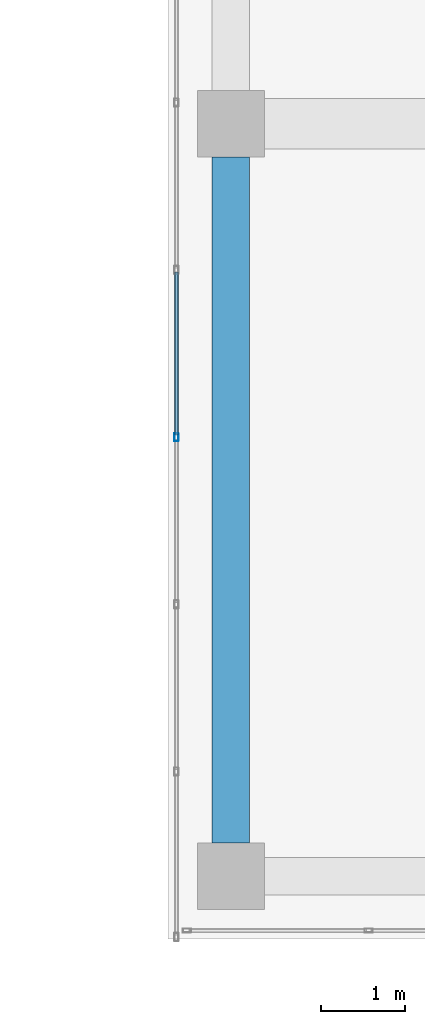
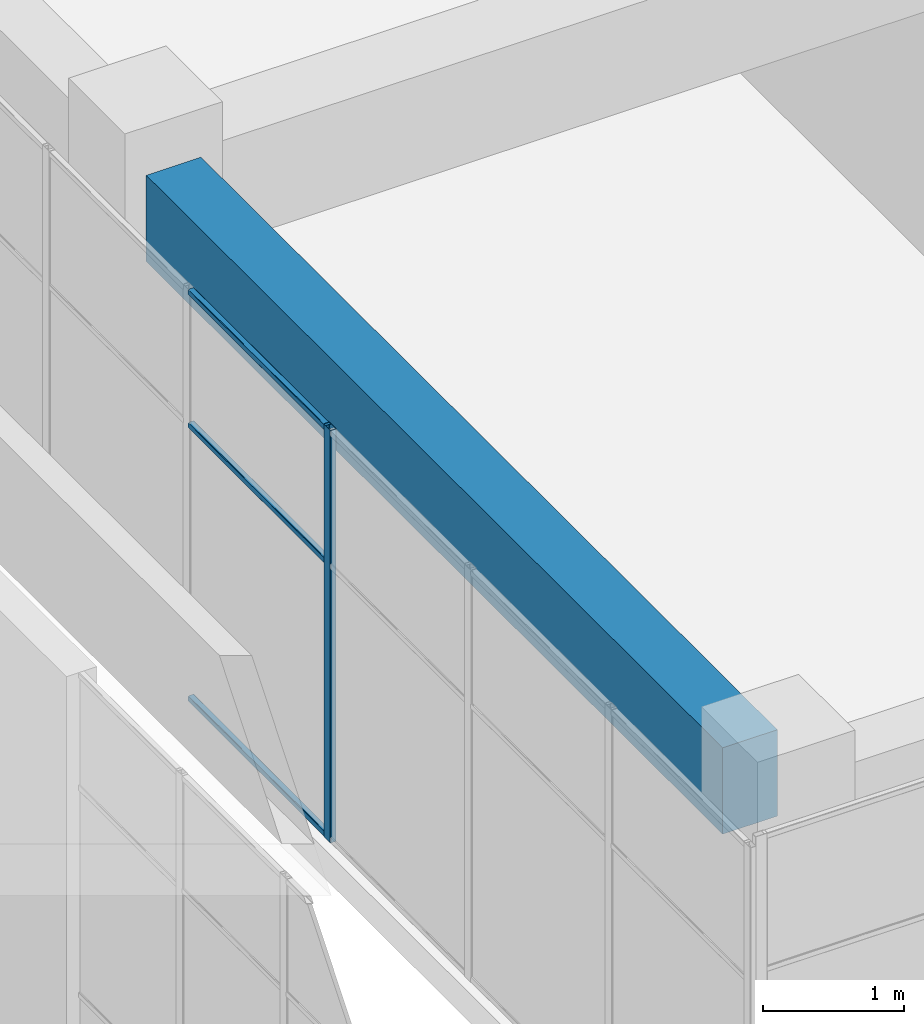
# One storey, part 24 of 72: 4 members, 1 beam, 1 element without a shape of its own.
"""IFC4 building model written with IfcOpenShell, lengths in metres."""

from ifc_helpers import new_model, si_unit, direction, frame, origin, origin_2d, place, context, subcontext, project, spatial, rectangle, hollow_rectangle, extrude, material, layer, layer_set, material_profile, profile_set, type_object, element, aggregate, save


model = new_model("IFC4")

# Units and contexts
model_context = context("Model", 3, precision=1e-05, world=origin(), true_north=direction((0.0, 1.0)))
body_context = subcontext(model_context, "Body", "Model", "MODEL_VIEW")
ifc_project = project(units=[si_unit("LENGTHUNIT", "METRE"), si_unit("AREAUNIT", "SQUARE_METRE"), si_unit("VOLUMEUNIT", "CUBIC_METRE"), si_unit("PLANEANGLEUNIT", "RADIAN"), si_unit("MASSUNIT", "GRAM", prefix="KILO")], contexts=[model_context])

# Site, building, storey
site_placement = place(None, origin())
site = spatial("IfcSite", under=ifc_project, at=site_placement, CompositionType="ELEMENT")
building_placement = place(site_placement, origin())
building = spatial("IfcBuilding", under=site, at=building_placement, Name="Tuart Plaza Theatre", CompositionType="ELEMENT")
storey_placement = place(building_placement, frame((0.0, 0.0, 13.5)))
storey = spatial("IfcBuildingStorey", under=building, at=storey_placement, Name="L03", CompositionType="ELEMENT", Elevation=13.5)

# Beam
ifc_material_1 = material(Name="Concrete N40 (40 MPa)", Category="concrete")
ifc_material_profile_1 = material_profile(ifc_material_1, rectangle(XDim=0.449951171875, YDim=0.75, at=origin_2d()), Name="BEAM 450x750 Concrete N40 (40 MPa)")
ifc_profile_set_1 = profile_set([ifc_material_profile_1], Name="Concrete N40 (40 MPa)")
beam_type = type_object("IfcBeamType", Name="BEAM 450x750 Concrete N40 (40 MPa)", PredefinedType="BEAM", material=ifc_profile_set_1)
beam_placement = place(storey_placement, frame((114.0, 56.39990234375, 3.205078125), z_axis=(0.0, 1.0, 0.0), x_axis=(-1.0, 0.0, 0.0)))
element("IfcBeam", 1, at=beam_placement, inside=storey, type_object=beam_type, Name="RB162", PredefinedType="BEAM", context=body_context, shape_type="SweptSolid", body=[
    extrude(rectangle(XDim=0.449951171875, YDim=0.75, at=origin_2d()), origin(), (0.0, 0.0, 1.0), 8.2001953125),
])

# Curtain wall, members
ifc_material_2 = material(Name="Aluminium and glass", Category="aluminium")
ifc_layer = layer(ifc_material_2, 0.10009765625)
ifc_layer_set = layer_set([ifc_layer], Name="CURTAIN WALL 2000 module")
curtain_wall_type = type_object("IfcCurtainWallType", Name="CURTAIN WALL 2000 module", PredefinedType="NOTDEFINED", material=ifc_layer_set)
curtain_wall_placement = place(storey_placement, origin())
curtain_wall = element("IfcCurtainWall", 2, at=curtain_wall_placement, inside=storey, type_object=curtain_wall_type, Name="CW73", PredefinedType="NOTDEFINED")
ifc_material_3 = material(Name="Aluminium 6063-T5", Category="aluminium")
ifc_material_profile_2 = material_profile(ifc_material_3, hollow_rectangle(XDim=0.050048828125, YDim=0.10009765625, WallThickness=0.00390625, InnerFilletRadius=0.00390625, OuterFilletRadius=0.008056640625, at=origin_2d()), Name="RHS 100x50x4")
ifc_profile_set_2 = profile_set([ifc_material_profile_2], Name="Aluminium 6063-T5")
member_type_1 = type_object("IfcMemberType", Name="MULLION RHS 100x50x4", PredefinedType="MULLION", material=ifc_profile_set_2)
member_1_placement = place(storey_placement, frame((113.35009765625, 61.25, 0.0), z_axis=(0.0, 0.0, 1.0), x_axis=(1.0, 0.0, 0.0)))
member_1 = element("IfcMember", 3, at=member_1_placement, type_object=member_type_1, Name="CW73 mullion 19", PredefinedType="MULLION", context=body_context, shape_type="SweptSolid", body=[
    extrude(hollow_rectangle(XDim=0.050048828125, YDim=0.10009765625, WallThickness=0.00390625, InnerFilletRadius=0.00390625, OuterFilletRadius=0.008056640625, at=origin_2d()), origin(), (0.0, 0.0, 1.0), 3.580078125),
])
ifc_material_4 = material(Name="Aluminium 6063-T5", Category="aluminium")
ifc_material_profile_3 = material_profile(ifc_material_4, hollow_rectangle(XDim=0.050048828125, YDim=0.050048828125, WallThickness=0.00390625, InnerFilletRadius=0.00390625, OuterFilletRadius=0.008056640625, at=origin_2d()), Name="RHS 50x50x4")
ifc_profile_set_3 = profile_set([ifc_material_profile_3], Name="Aluminium 6063-T5")
member_type_2 = type_object("IfcMemberType", Name="TRANSOM RHS 50x50x4", PredefinedType="USERDEFINED", material=ifc_profile_set_3)
member_2_placement = place(storey_placement, frame((113.35009765625, 63.22509765625, 0.02490234375), z_axis=(0.0, -1.0, 0.0), x_axis=(1.0, 0.0, 0.0)))
member_2 = element("IfcMember", 4, at=member_2_placement, type_object=member_type_2, Name="CW73 transom 18.1", ObjectType="TRANSOM", PredefinedType="USERDEFINED", context=body_context, shape_type="SweptSolid", body=[
    extrude(hollow_rectangle(XDim=0.050048828125, YDim=0.050048828125, WallThickness=0.00390625, InnerFilletRadius=0.00390625, OuterFilletRadius=0.008056640625, at=origin_2d()), origin(), (0.0, 0.0, 1.0), 1.9501953125),
])
member_3_placement = place(storey_placement, frame((113.35009765625, 63.22509765625, 2.39990234375), z_axis=(0.0, -1.0, 0.0), x_axis=(1.0, 0.0, 0.0)))
member_3 = element("IfcMember", 5, at=member_3_placement, type_object=member_type_2, Name="CW73 transom 18.2", ObjectType="TRANSOM", PredefinedType="USERDEFINED", context=body_context, shape_type="SweptSolid", body=[
    extrude(hollow_rectangle(XDim=0.050048828125, YDim=0.050048828125, WallThickness=0.00390625, InnerFilletRadius=0.00390625, OuterFilletRadius=0.008056640625, at=origin_2d()), origin(), (0.0, 0.0, 1.0), 1.9501953125),
])
member_4_placement = place(storey_placement, frame((113.35009765625, 63.22509765625, 3.554931640625), z_axis=(0.0, -1.0, 0.0), x_axis=(1.0, 0.0, 0.0)))
member_4 = element("IfcMember", 6, at=member_4_placement, type_object=member_type_2, Name="CW73 transom 18.3", ObjectType="TRANSOM", PredefinedType="USERDEFINED", context=body_context, shape_type="SweptSolid", body=[
    extrude(hollow_rectangle(XDim=0.050048828125, YDim=0.050048828125, WallThickness=0.00390625, InnerFilletRadius=0.00390625, OuterFilletRadius=0.008056640625, at=origin_2d()), origin(), (0.0, 0.0, 1.0), 1.9501953125),
])
aggregate(curtain_wall, [member_1, member_2, member_3, member_4])

save(model, "model.ifc")
